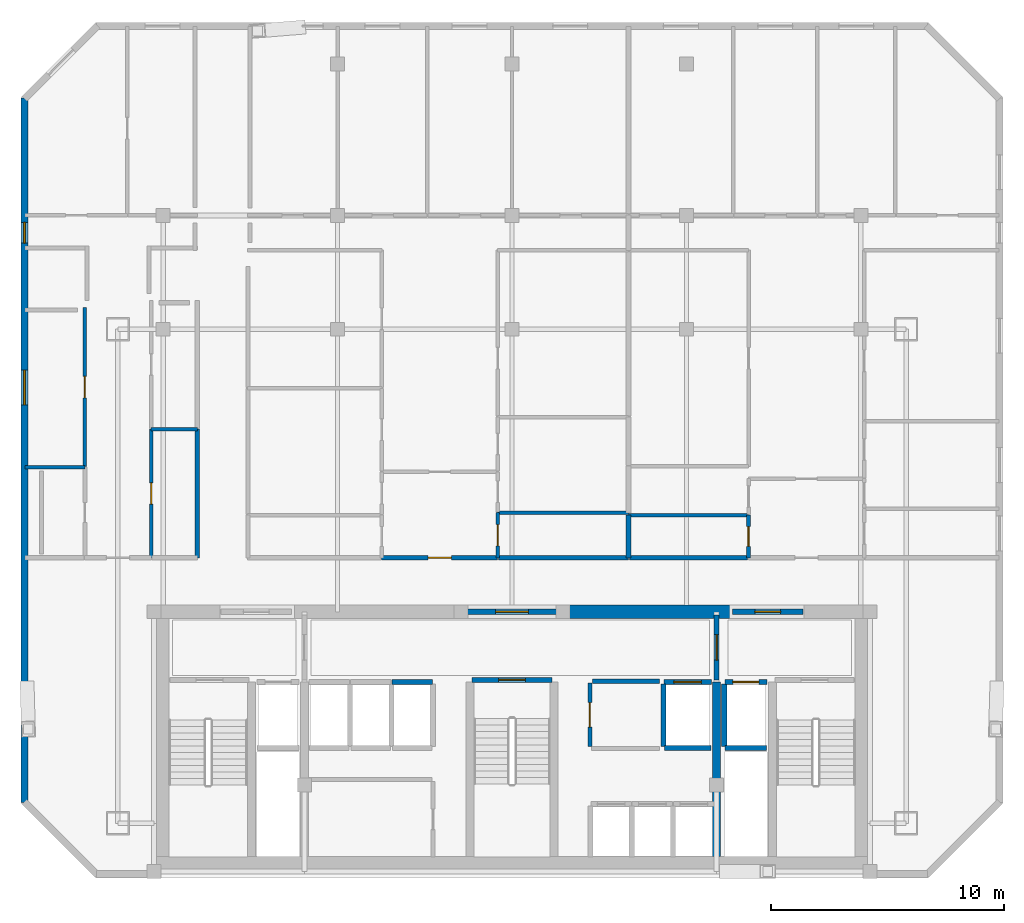
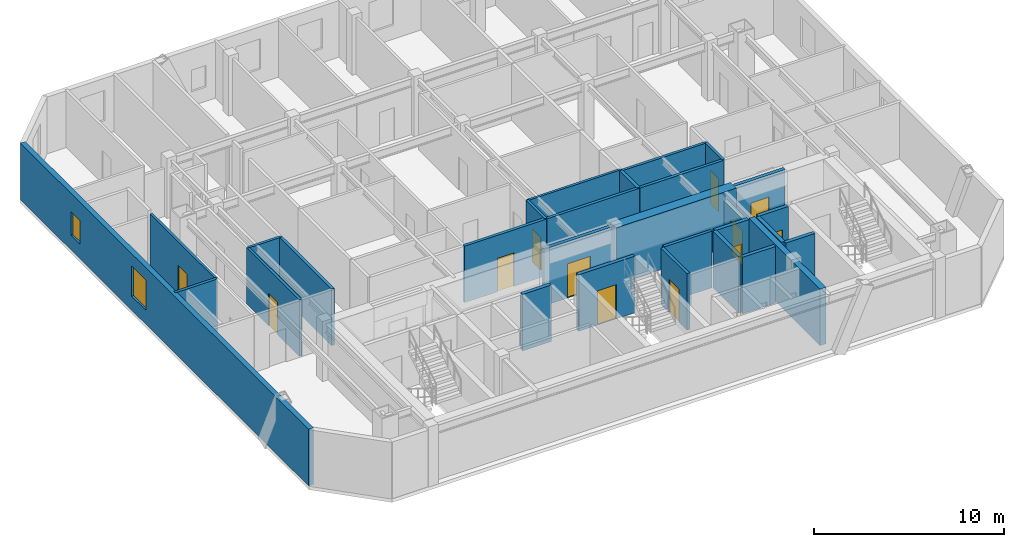
# One storey, part 3 of 7: 29 walls, 12 doors, 2 windows, 14 openings.
"""IFC4 building model written with IfcOpenShell, lengths in metres."""

from ifc_helpers import new_model, si_unit, direction, frame, frame_2d, origin, place, context, subcontext, project, spatial, rectangle, extrude, material, layer, layer_set, type_object, element, fill, save


model = new_model("IFC4")

# Units and contexts
model_context = context("Model", 3, precision=1e-05, world=origin(), true_north=direction((0.0, 1.0)))
body_context = subcontext(model_context, "Body", "Model", "MODEL_VIEW")
ifc_project = project(units=[si_unit("LENGTHUNIT", "METRE"), si_unit("AREAUNIT", "SQUARE_METRE"), si_unit("VOLUMEUNIT", "CUBIC_METRE"), si_unit("PLANEANGLEUNIT", "RADIAN"), si_unit("MASSUNIT", "GRAM", prefix="KILO")], contexts=[model_context])

# Site, building, storey
site_placement = place(None, origin())
site = spatial("IfcSite", under=ifc_project, at=site_placement, CompositionType="ELEMENT")
building_placement = place(site_placement, origin())
building = spatial("IfcBuilding", under=site, at=building_placement, Name="Ventersveld Concourse Tower", CompositionType="ELEMENT")
storey_placement = place(building_placement, frame((0.0, 0.0, 238.800048828125)))
storey = spatial("IfcBuildingStorey", under=building, at=storey_placement, Name="L59", CompositionType="ELEMENT", Elevation=238.800048828125)

# Walls
ifc_material_1 = material(Name="Concrete C50/60", Category="concrete")
ifc_layer_1 = layer(ifc_material_1, 0.35009765625)
ifc_layer_set_1 = layer_set([ifc_layer_1], Name="Concrete C50/60")
wall_type_1 = type_object("IfcWallType", Name="WL-CORE-350U", PredefinedType="SHEAR", material=ifc_layer_set_1)
wall_1_placement = place(storey_placement, frame((37.550048828125, 0.919921875, 0.0), z_axis=(0.0, 0.0, 1.0), x_axis=(0.0, 1.0, 0.0)))
element("IfcWall", 1, at=wall_1_placement, inside=storey, type_object=wall_type_1, Name="L59 Core Internal Shear Web W-SVL-W", PredefinedType="SHEAR", context=body_context, shape_type="SweptSolid", body=[
    extrude(rectangle(XDim=7.5, YDim=0.35009765625, at=frame_2d((3.75, 0.0))), origin(), (0.0, 0.0, 1.0), 3.6298828125),
])
ifc_layer_2 = layer(ifc_material_1, 0.60009765625)
ifc_layer_set_2 = layer_set([ifc_layer_2], Name="Concrete C50/60")
wall_type_2 = type_object("IfcWallType", Name="WL-CORE-600", PredefinedType="SHEAR", material=ifc_layer_set_2)
wall_2_placement = place(storey_placement, frame((30.89990234375, 11.449951171875, 0.0), z_axis=(0.0, 0.0, 1.0), x_axis=(1.0, 0.0, 0.0)))
element("IfcWall", 2, at=wall_2_placement, inside=storey, type_object=wall_type_2, Name="L59 Rear Core North Shear Wall NMR", PredefinedType="SHEAR", context=body_context, shape_type="SweptSolid", body=[
    extrude(rectangle(XDim=7.300048828125, YDim=0.60009765625, at=frame_2d((3.64990234375, 0.0))), origin(), (0.0, 0.0, 1.0), 3.6298828125),
])

# Wall, opening, door
ifc_material_2 = material(Name="Fire-rated autoclaved aerated masonry blockwork", Category="masonry")
ifc_layer_3 = layer(ifc_material_2, 0.179931640625)
ifc_layer_set_3 = layer_set([ifc_layer_3], Name="Fire-rated autoclaved aerated masonry blockwork")
wall_type_3 = type_object("IfcWallType", Name="WL-CORR-180", PredefinedType="PARTITIONING", material=ifc_layer_set_3)
wall_3_placement = place(storey_placement, frame((32.10009765625, 5.64990234375, 0.0), z_axis=(0.0, 0.0, 1.0), x_axis=(0.0, 1.0, 0.0)))
wall_3 = element("IfcWall", 3, at=wall_3_placement, inside=storey, type_object=wall_type_3, Name="L59 Core Passage Wall SP-L59-CBAY1", PredefinedType="PARTITIONING", context=body_context, shape_type="SweptSolid", body=[
    extrude(rectangle(XDim=2.72998046875, YDim=0.179931640625, at=frame_2d((1.364990234375, 0.0))), origin(), (0.0, 0.0, 1.0), 3.6298828125),
])
opening_1_placement = place(wall_3_placement, frame((0.840087890625, 0.0, 0.0)))
opening_1 = element("IfcOpeningElement", 4, at=opening_1_placement, cuts=wall_3, Name="Opening ID3", PredefinedType="OPENING", context=body_context, shape_type="SweptSolid", body=[
    extrude(rectangle(XDim=1.050048828125, YDim=2.14990234375, at=frame_2d((0.52490234375, 1.074951171875))), frame((0.0, 0.10009765625, 0.0), z_axis=(0.0, -1.0, 0.0), x_axis=(1.0, 0.0, 0.0)), (0.0, 0.0, 1.0), 0.199951171875),
])
ifc_material_3 = material(Name="Solid-core hardwood veneer timber", Category="wood")
door_type_1 = type_object("IfcDoorType", Name="DR-AWC-105", OperationType="NOTDEFINED", PredefinedType="DOOR", material=ifc_material_3)
door_1_placement = place(opening_1_placement, origin())
door_1 = element("IfcDoor", 5, at=door_1_placement, inside=storey, type_object=door_type_1, Name="L59 Core Room Door L59 Core Unisex Accessible WC (CD-L59-2829)", OperationType="SINGLE_SWING_RIGHT", OverallHeight=2.14990234375, OverallWidth=1.050048828125, PredefinedType="DOOR", context=body_context, shape_type="SweptSolid", body=[
    extrude(rectangle(XDim=1.050048828125, YDim=2.14990234375, at=frame_2d((0.52490234375, 1.074951171875))), frame((0.0, 0.02490234375, 0.0), z_axis=(0.0, -1.0, 0.0), x_axis=(1.0, 0.0, 0.0)), (0.0, 0.0, 1.0), 0.050048828125),
])
fill(opening_1, door_1)

# Walls
wall_4_placement = place(storey_placement, frame((32.219970703125, 8.4599609375, 0.0), z_axis=(0.0, 0.0, 1.0), x_axis=(1.0, 0.0, 0.0)))
element("IfcWall", 6, at=wall_4_placement, inside=storey, type_object=wall_type_3, Name="L59 Core Top Wall SP-L59-CBAY1", PredefinedType="PARTITIONING", context=body_context, shape_type="SweptSolid", body=[
    extrude(rectangle(XDim=2.880126953125, YDim=0.179931640625, at=frame_2d((1.43994140625, 0.0))), origin(), (0.0, 0.0, 1.0), 3.6298828125),
])
wall_5_placement = place(storey_placement, frame((15.2099609375, 13.764892578125, 0.0), z_axis=(0.0, 0.0, 1.0), x_axis=(0.0, 1.0, 0.0)))
element("IfcWall", 7, at=wall_5_placement, inside=storey, type_object=wall_type_3, Name="L59 Interior Partition SP-L59-COR-SP-L59-59NW-KIT", PredefinedType="PARTITIONING", context=body_context, shape_type="SweptSolid", body=[
    extrude(rectangle(XDim=5.5380859375, YDim=0.179931640625, at=frame_2d((2.76904296875, 0.0))), origin(), (0.0, 0.0, 1.0), 3.6298828125),
])

# Wall, opening, door
wall_6_placement = place(storey_placement, frame((23.146484375, 13.77001953125, 0.0), z_axis=(0.0, 0.0, 1.0), x_axis=(1.0, 0.0, 0.0)))
wall_6 = element("IfcWall", 8, at=wall_6_placement, inside=storey, type_object=wall_type_3, Name="L59 Interior Partition SP-L59-COR-SP-L59-59N1-FOY", PredefinedType="PARTITIONING", context=body_context, shape_type="SweptSolid", body=[
    extrude(rectangle(XDim=4.989990234375, YDim=0.179931640625, at=frame_2d((2.4951171875, 0.0))), origin(), (0.0, 0.0, 1.0), 3.6298828125),
])
opening_2_placement = place(wall_6_placement, frame((1.9951171875, 0.0, 0.0)))
opening_2 = element("IfcOpeningElement", 9, at=opening_2_placement, cuts=wall_6, Name="Opening FD3", PredefinedType="OPENING", context=body_context, shape_type="SweptSolid", body=[
    extrude(rectangle(XDim=1.0, YDim=2.14990234375, at=frame_2d((0.5, 1.074951171875))), frame((0.0, 0.10009765625, 0.0), z_axis=(0.0, -1.0, 0.0), x_axis=(1.0, 0.0, 0.0)), (0.0, 0.0, 1.0), 0.199951171875),
])
door_type_2 = type_object("IfcDoorType", Name="DR-FLAT-100", OperationType="NOTDEFINED", PredefinedType="DOOR", material=ifc_material_3)
door_2_placement = place(opening_2_placement, origin())
door_2 = element("IfcDoor", 10, at=door_2_placement, inside=storey, type_object=door_type_2, Name="L59 Interior Door SP-L59-COR to SP-L59-59N1-FOY (FD-L59-2831)", OperationType="SINGLE_SWING_LEFT", OverallHeight=2.14990234375, OverallWidth=1.0, PredefinedType="DOOR", context=body_context, shape_type="SweptSolid", body=[
    extrude(rectangle(XDim=1.0, YDim=2.14990234375, at=frame_2d((0.5, 1.074951171875))), frame((0.0, 0.02490234375, 0.0), z_axis=(0.0, -1.0, 0.0), x_axis=(1.0, 0.0, 0.0)), (0.0, 0.0, 1.0), 0.050048828125),
])
fill(opening_2, door_2)

# Walls
wall_7_placement = place(storey_placement, frame((28.16650390625, 13.77001953125, 0.0), z_axis=(0.0, 0.0, 1.0), x_axis=(1.0, 0.0, 0.0)))
element("IfcWall", 11, at=wall_7_placement, inside=storey, type_object=wall_type_3, Name="L59 Interior Partition SP-L59-COR-SP-L59-59N1-KIT", PredefinedType="PARTITIONING", context=body_context, shape_type="SweptSolid", body=[
    extrude(rectangle(XDim=5.596923828125, YDim=0.179931640625, at=frame_2d((2.79833984375, 0.0))), origin(), (0.0, 0.0, 1.0), 3.6298828125),
])
wall_8_placement = place(storey_placement, frame((33.79345703125, 13.77001953125, 0.0), z_axis=(0.0, 0.0, 1.0), x_axis=(1.0, 0.0, 0.0)))
element("IfcWall", 12, at=wall_8_placement, inside=storey, type_object=wall_type_3, Name="L59 Interior Partition SP-L59-COR-SP-L59-59N2-BATH", PredefinedType="PARTITIONING", context=body_context, shape_type="SweptSolid", body=[
    extrude(rectangle(XDim=5.0947265625, YDim=0.179931640625, at=frame_2d((2.54736328125, 0.0))), origin(), (0.0, 0.0, 1.0), 3.6298828125),
])
ifc_layer_4 = layer(ifc_material_2, 0.199951171875)
ifc_layer_set_4 = layer_set([ifc_layer_4], Name="Fire-rated autoclaved aerated masonry blockwork")
wall_type_4 = type_object("IfcWallType", Name="WL-DEMISE-200", PredefinedType="PARTITIONING", material=ifc_layer_set_4)
wall_9_placement = place(storey_placement, frame((33.75830078125, 13.764892578125, 0.0), z_axis=(0.0, 0.0, 1.0), x_axis=(0.0, 1.0, 0.0)))
element("IfcWall", 13, at=wall_9_placement, inside=storey, type_object=wall_type_4, Name="L59 Interior Partition SP-L59-59N1-KIT-SP-L59-59N2-BATH", PredefinedType="PARTITIONING", context=body_context, shape_type="SweptSolid", body=[
    extrude(rectangle(XDim=1.840087890625, YDim=0.199951171875, at=frame_2d((0.919921875, 0.0))), origin(), (0.0, 0.0, 1.0), 3.6298828125),
])
ifc_layer_5 = layer(ifc_material_2, 0.219970703125)
ifc_layer_set_5 = layer_set([ifc_layer_5], Name="Fire-rated autoclaved aerated masonry blockwork")
wall_type_5 = type_object("IfcWallType", Name="WL-HOIST-220", PredefinedType="SOLIDWALL", material=ifc_layer_set_5)
wall_10_placement = place(storey_placement, frame((37.919921875, 5.590087890625, 0.0), z_axis=(0.0, 0.0, 1.0), x_axis=(1.0, 0.0, 0.0)))
element("IfcWall", 14, at=wall_10_placement, inside=storey, type_object=wall_type_5, Name="L59 Lift Hoistway Back Wall FFL-02", PredefinedType="SOLIDWALL", context=body_context, shape_type="SweptSolid", body=[
    extrude(rectangle(XDim=1.780029296875, YDim=0.219970703125, at=frame_2d((0.89013671875, 0.0))), origin(), (0.0, 0.0, 1.0), 3.6298828125),
])
wall_11_placement = place(storey_placement, frame((37.8798828125, 5.64990234375, 0.0), z_axis=(0.0, 0.0, 1.0), x_axis=(0.0, 1.0, 0.0)))
element("IfcWall", 15, at=wall_11_placement, inside=storey, type_object=wall_type_5, Name="L59 Lift Hoistway Side Wall FFL-02W", PredefinedType="SOLIDWALL", context=body_context, shape_type="SweptSolid", body=[
    extrude(rectangle(XDim=2.7001953125, YDim=0.219970703125, at=frame_2d((1.35009765625, 0.0))), origin(), (0.0, 0.0, 1.0), 3.6298828125),
])

# Wall, opening, door
wall_12_placement = place(storey_placement, frame((37.89990234375, 8.429931640625, 0.0), z_axis=(0.0, 0.0, 1.0), x_axis=(1.0, 0.0, 0.0)))
wall_12 = element("IfcWall", 16, at=wall_12_placement, inside=storey, type_object=wall_type_5, Name="L59 Lift Hoistway Front Wall FFL-02", PredefinedType="SOLIDWALL", context=body_context, shape_type="SweptSolid", body=[
    extrude(rectangle(XDim=1.820068359375, YDim=0.219970703125, at=frame_2d((0.91015625, 0.0))), origin(), (0.0, 0.0, 1.0), 3.6298828125),
])
opening_3_placement = place(wall_12_placement, frame((0.35009765625, 0.0, 0.0)))
opening_3 = element("IfcOpeningElement", 17, at=opening_3_placement, cuts=wall_12, Name="Opening LD1", PredefinedType="OPENING", context=body_context, shape_type="SweptSolid", body=[
    extrude(rectangle(XDim=1.1201171875, YDim=2.25, at=frame_2d((0.56005859375, 1.125))), frame((0.0, 0.1201171875, 0.0), z_axis=(0.0, -1.0, 0.0), x_axis=(1.0, 0.0, 0.0)), (0.0, 0.0, 1.0), 0.239990234375),
])
ifc_material_4 = material(Name="Brushed stainless steel 316", Category="steel")
door_type_3 = type_object("IfcDoorType", Name="LD-FF-112", OperationType="SLIDING_TO_LEFT", PredefinedType="DOOR", material=ifc_material_4)
door_3_placement = place(opening_3_placement, origin())
door_3 = element("IfcDoor", 18, at=door_3_placement, inside=storey, type_object=door_type_3, Name="L59 Lift landing door FFL-02 (LD-L59-FFL-02)", OperationType="SLIDING_TO_RIGHT", OverallHeight=2.25, OverallWidth=1.1201171875, PredefinedType="DOOR", context=body_context, shape_type="SweptSolid", body=[
    extrude(rectangle(XDim=1.1201171875, YDim=2.25, at=frame_2d((0.56005859375, 1.125))), frame((0.0, 0.02490234375, 0.0), z_axis=(0.0, -1.0, 0.0), x_axis=(1.0, 0.0, 0.0)), (0.0, 0.0, 1.0), 0.050048828125),
])
fill(opening_3, door_3)

# Walls
wall_13_placement = place(storey_placement, frame((35.300048828125, 5.590087890625, 0.0), z_axis=(0.0, 0.0, 1.0), x_axis=(1.0, 0.0, 0.0)))
element("IfcWall", 19, at=wall_13_placement, inside=storey, type_object=wall_type_5, Name="L59 Lift Hoistway Back Wall SVL-01", PredefinedType="SOLIDWALL", context=body_context, shape_type="SweptSolid", body=[
    extrude(rectangle(XDim=2.0, YDim=0.219970703125, at=frame_2d((1.0, 0.0))), origin(), (0.0, 0.0, 1.0), 3.6298828125),
])
wall_14_placement = place(storey_placement, frame((35.260009765625, 5.64990234375, 0.0), z_axis=(0.0, 0.0, 1.0), x_axis=(0.0, 1.0, 0.0)))
element("IfcWall", 20, at=wall_14_placement, inside=storey, type_object=wall_type_5, Name="L59 Lift Hoistway Side Wall SVL-01W", PredefinedType="SOLIDWALL", context=body_context, shape_type="SweptSolid", body=[
    extrude(rectangle(XDim=2.7001953125, YDim=0.219970703125, at=frame_2d((1.35009765625, 0.0))), origin(), (0.0, 0.0, 1.0), 3.6298828125),
])

# Wall, opening, door
wall_15_placement = place(storey_placement, frame((35.280029296875, 8.429931640625, 0.0), z_axis=(0.0, 0.0, 1.0), x_axis=(1.0, 0.0, 0.0)))
wall_15 = element("IfcWall", 21, at=wall_15_placement, inside=storey, type_object=wall_type_5, Name="L59 Lift Hoistway Front Wall SVL-01", PredefinedType="SOLIDWALL", context=body_context, shape_type="SweptSolid", body=[
    extrude(rectangle(XDim=2.0400390625, YDim=0.219970703125, at=frame_2d((1.02001953125, 0.0))), origin(), (0.0, 0.0, 1.0), 3.6298828125),
])
opening_4_placement = place(wall_15_placement, frame((0.429931640625, 0.0, 0.0)))
opening_4 = element("IfcOpeningElement", 22, at=opening_4_placement, cuts=wall_15, Name="Opening LD2", PredefinedType="OPENING", context=body_context, shape_type="SweptSolid", body=[
    extrude(rectangle(XDim=1.179931640625, YDim=2.199951171875, at=frame_2d((0.58984375, 1.10009765625))), frame((0.0, 0.1201171875, 0.0), z_axis=(0.0, -1.0, 0.0), x_axis=(1.0, 0.0, 0.0)), (0.0, 0.0, 1.0), 0.239990234375),
])
door_type_4 = type_object("IfcDoorType", Name="LD-PAX-118", OperationType="SLIDING_TO_LEFT", PredefinedType="DOOR", material=ifc_material_4)
door_4_placement = place(opening_4_placement, origin())
door_4 = element("IfcDoor", 23, at=door_4_placement, inside=storey, type_object=door_type_4, Name="L59 Lift landing door SVL-01 (LD-L59-SVL-01)", OperationType="SLIDING_TO_LEFT", OverallHeight=2.199951171875, OverallWidth=1.179931640625, PredefinedType="DOOR", context=body_context, shape_type="SweptSolid", body=[
    extrude(rectangle(XDim=1.179931640625, YDim=2.199951171875, at=frame_2d((0.58984375, 1.10009765625))), frame((0.0, 0.02490234375, 0.0), z_axis=(0.0, -1.0, 0.0), x_axis=(1.0, 0.0, 0.0)), (0.0, 0.0, 1.0), 0.050048828125),
])
fill(opening_4, door_4)

# Wall
wall_16_placement = place(storey_placement, frame((23.580078125, 8.429931640625, 0.0), z_axis=(0.0, 0.0, 1.0), x_axis=(1.0, 0.0, 0.0)))
element("IfcWall", 24, at=wall_16_placement, inside=storey, type_object=wall_type_5, Name="L59 Lift Hoistway Front Wall PH-03", PredefinedType="SOLIDWALL", context=body_context, shape_type="SweptSolid", body=[
    extrude(rectangle(XDim=1.739990234375, YDim=0.219970703125, at=frame_2d((0.8701171875, 0.0))), origin(), (0.0, 0.0, 1.0), 3.6298828125),
])

# Wall, opening, door
wall_17_placement = place(storey_placement, frame((27.0400390625, 8.52001953125, 0.0), z_axis=(0.0, 0.0, 1.0), x_axis=(1.0, 0.0, 0.0)))
wall_17 = element("IfcWall", 25, at=wall_17_placement, inside=storey, type_object=wall_type_5, Name="L59 Escape Stair ST03 Fire Wall", PredefinedType="SOLIDWALL", context=body_context, shape_type="SweptSolid", body=[
    extrude(rectangle(XDim=3.419921875, YDim=0.219970703125, at=frame_2d((1.7099609375, 0.0))), origin(), (0.0, 0.0, 1.0), 3.6298828125),
])
opening_5_placement = place(wall_17_placement, frame((1.135009765625, 0.0, 0.0)))
opening_5 = element("IfcOpeningElement", 26, at=opening_5_placement, cuts=wall_17, Name="Opening FD1", PredefinedType="OPENING", context=body_context, shape_type="SweptSolid", body=[
    extrude(rectangle(XDim=1.14990234375, YDim=2.199951171875, at=frame_2d((0.574951171875, 1.10009765625))), frame((0.0, 0.1201171875, 0.0), z_axis=(0.0, -1.0, 0.0), x_axis=(1.0, 0.0, 0.0)), (0.0, 0.0, 1.0), 0.239990234375),
])
ifc_material_5 = material(Name="Galvanised painted steel", Category="steel")
door_type_5 = type_object("IfcDoorType", Name="DR-STAIR-115", OperationType="NOTDEFINED", PredefinedType="DOOR", material=ifc_material_5)
door_5_placement = place(opening_5_placement, origin())
door_5 = element("IfcDoor", 27, at=door_5_placement, inside=storey, type_object=door_type_5, Name="L59 Escape Stair Door ST03 (SD-L59-2822)", OperationType="SINGLE_SWING_LEFT", OverallHeight=2.199951171875, OverallWidth=1.14990234375, PredefinedType="DOOR", context=body_context, shape_type="SweptSolid", body=[
    extrude(rectangle(XDim=1.14990234375, YDim=2.199951171875, at=frame_2d((0.574951171875, 1.10009765625))), frame((0.0, 0.02490234375, 0.0), z_axis=(0.0, -1.0, 0.0), x_axis=(1.0, 0.0, 0.0)), (0.0, 0.0, 1.0), 0.050048828125),
])
fill(opening_5, door_5)

wall_18_placement = place(storey_placement, frame((37.550048828125, 8.52001953125, 0.0), z_axis=(0.0, 0.0, 1.0), x_axis=(0.0, 1.0, 0.0)))
wall_18 = element("IfcWall", 28, at=wall_18_placement, inside=storey, type_object=wall_type_5, Name="L59 Firefighting Lobby Smoke-Stop Wall FFLE-SEP", PredefinedType="SOLIDWALL", context=body_context, shape_type="SweptSolid", body=[
    extrude(rectangle(XDim=2.800048828125, YDim=0.219970703125, at=frame_2d((1.39990234375, 0.0))), origin(), (0.0, 0.0, 1.0), 3.08544921875),
])
opening_6_placement = place(wall_18_placement, frame((0.85009765625, 0.0, 0.0)))
opening_6 = element("IfcOpeningElement", 29, at=opening_6_placement, cuts=wall_18, Name="Opening FD2", PredefinedType="OPENING", context=body_context, shape_type="SweptSolid", body=[
    extrude(rectangle(XDim=1.10009765625, YDim=2.199951171875, at=frame_2d((0.550048828125, 1.10009765625))), frame((0.0, 0.1201171875, 0.0), z_axis=(0.0, -1.0, 0.0), x_axis=(1.0, 0.0, 0.0)), (0.0, 0.0, 1.0), 0.239990234375),
])
door_type_6 = type_object("IfcDoorType", Name="DR-FFL-110", OperationType="NOTDEFINED", PredefinedType="DOOR", material=ifc_material_5)
door_6_placement = place(opening_6_placement, origin())
door_6 = element("IfcDoor", 30, at=door_6_placement, inside=storey, type_object=door_type_6, Name="L59 Firefighting Lobby Door FFLE-SEP (FD-L59-2824)", OperationType="SINGLE_SWING_RIGHT", OverallHeight=2.199951171875, OverallWidth=1.10009765625, PredefinedType="DOOR", context=body_context, shape_type="SweptSolid", body=[
    extrude(rectangle(XDim=1.10009765625, YDim=2.199951171875, at=frame_2d((0.550048828125, 1.10009765625))), frame((0.0, 0.02490234375, 0.0), z_axis=(0.0, -1.0, 0.0), x_axis=(1.0, 0.0, 0.0)), (0.0, 0.0, 1.0), 0.050048828125),
])
fill(opening_6, door_6)

wall_19_placement = place(storey_placement, frame((26.6298828125, 11.449951171875, 0.0), z_axis=(0.0, 0.0, 1.0), x_axis=(1.0, 0.0, 0.0)))
wall_19 = element("IfcWall", 31, at=wall_19_placement, inside=storey, type_object=wall_type_5, Name="L59 Core North Fire Portal PLOB-OUT", PredefinedType="SOLIDWALL", context=body_context, shape_type="SweptSolid", body=[
    extrude(rectangle(XDim=4.240234375, YDim=0.219970703125, at=frame_2d((2.1201171875, 0.0))), origin(), (0.0, 0.0, 1.0), 3.6298828125),
])
opening_7_placement = place(wall_19_placement, frame((1.419921875, 0.0, 0.0)))
opening_7 = element("IfcOpeningElement", 32, at=opening_7_placement, cuts=wall_19, Name="Opening FD4", PredefinedType="OPENING", context=body_context, shape_type="SweptSolid", body=[
    extrude(rectangle(XDim=1.39990234375, YDim=2.199951171875, at=frame_2d((0.699951171875, 1.10009765625))), frame((0.0, 0.1201171875, 0.0), z_axis=(0.0, -1.0, 0.0), x_axis=(1.0, 0.0, 0.0)), (0.0, 0.0, 1.0), 0.239990234375),
])
door_type_7 = type_object("IfcDoorType", Name="DR-PLANT-140", OperationType="DOUBLE_DOOR_SINGLE_SWING", PredefinedType="DOOR", material=ifc_material_5)
door_7_placement = place(opening_7_placement, origin())
door_7 = element("IfcDoor", 33, at=door_7_placement, inside=storey, type_object=door_type_7, Name="L59 Core Lobby Fire Door PLOB-OUT (FD-L59-2826)", OperationType="DOUBLE_DOOR_SINGLE_SWING", OverallHeight=2.199951171875, OverallWidth=1.39990234375, PredefinedType="DOOR", context=body_context, shape_type="SweptSolid", body=[
    extrude(rectangle(XDim=1.39990234375, YDim=2.199951171875, at=frame_2d((0.699951171875, 1.10009765625))), frame((0.0, 0.02490234375, 0.0), z_axis=(0.0, -1.0, 0.0), x_axis=(1.0, 0.0, 0.0)), (0.0, 0.0, 1.0), 0.050048828125),
])
fill(opening_7, door_7)

wall_20_placement = place(storey_placement, frame((38.22998046875, 11.449951171875, 0.0), z_axis=(0.0, 0.0, 1.0), x_axis=(1.0, 0.0, 0.0)))
wall_20 = element("IfcWall", 34, at=wall_20_placement, inside=storey, type_object=wall_type_5, Name="L59 Core North Fire Portal FFLE-OUT", PredefinedType="SOLIDWALL", context=body_context, shape_type="SweptSolid", body=[
    extrude(rectangle(XDim=3.0400390625, YDim=0.219970703125, at=frame_2d((1.52001953125, 0.0))), origin(), (0.0, 0.0, 1.0), 3.6298828125),
])
opening_8_placement = place(wall_20_placement, frame((0.969970703125, 0.0, 0.0)))
opening_8 = element("IfcOpeningElement", 35, at=opening_8_placement, cuts=wall_20, Name="Opening FD2", PredefinedType="OPENING", context=body_context, shape_type="SweptSolid", body=[
    extrude(rectangle(XDim=1.10009765625, YDim=2.199951171875, at=frame_2d((0.550048828125, 1.10009765625))), frame((0.0, 0.1201171875, 0.0), z_axis=(0.0, -1.0, 0.0), x_axis=(1.0, 0.0, 0.0)), (0.0, 0.0, 1.0), 0.239990234375),
])
door_8_placement = place(opening_8_placement, origin())
door_8 = element("IfcDoor", 36, at=door_8_placement, inside=storey, type_object=door_type_6, Name="L59 Core Lobby Fire Door FFLE-OUT (FD-L59-2827)", OperationType="SINGLE_SWING_LEFT", OverallHeight=2.199951171875, OverallWidth=1.10009765625, PredefinedType="DOOR", context=body_context, shape_type="SweptSolid", body=[
    extrude(rectangle(XDim=1.10009765625, YDim=2.199951171875, at=frame_2d((0.550048828125, 1.10009765625))), frame((0.0, 0.02490234375, 0.0), z_axis=(0.0, -1.0, 0.0), x_axis=(1.0, 0.0, 0.0)), (0.0, 0.0, 1.0), 0.050048828125),
])
fill(opening_8, door_8)

ifc_material_6 = material(Name="Autoclaved aerated masonry blockwork", Category="masonry")
ifc_layer_6 = layer(ifc_material_6, 0.14990234375)
ifc_layer_set_6 = layer_set([ifc_layer_6], Name="Autoclaved aerated masonry blockwork")
wall_type_6 = type_object("IfcWallType", Name="WL-INT-150", PredefinedType="PARTITIONING", material=ifc_layer_set_6)
wall_21_placement = place(storey_placement, frame((10.3798828125, 17.7001953125, 0.0), z_axis=(0.0, 0.0, 1.0), x_axis=(0.0, 1.0, 0.0)))
wall_21 = element("IfcWall", 37, at=wall_21_placement, inside=storey, type_object=wall_type_6, Name="L59 Interior Partition SP-L59-59NW-LIV-SP-L59-59NW-OFFL0", PredefinedType="PARTITIONING", context=body_context, shape_type="SweptSolid", body=[
    extrude(rectangle(XDim=6.8251953125, YDim=0.14990234375, at=frame_2d((3.41259765625, 0.0))), origin(), (0.0, 0.0, 1.0), 3.6298828125),
])
opening_9_placement = place(wall_21_placement, frame((2.95263671875, 0.0, 0.0)))
opening_9 = element("IfcOpeningElement", 38, at=opening_9_placement, cuts=wall_21, Name="Opening ID1", PredefinedType="OPENING", context=body_context, shape_type="SweptSolid", body=[
    extrude(rectangle(XDim=0.919921875, YDim=2.10009765625, at=frame_2d((0.4599609375, 1.050048828125))), frame((0.0, 0.0849609375, 0.0), z_axis=(0.0, -1.0, 0.0), x_axis=(1.0, 0.0, 0.0)), (0.0, 0.0, 1.0), 0.169921875),
])
door_type_8 = type_object("IfcDoorType", Name="DR-ROOM-092", OperationType="NOTDEFINED", PredefinedType="DOOR", material=ifc_material_3)
door_9_placement = place(opening_9_placement, origin())
door_9 = element("IfcDoor", 39, at=door_9_placement, inside=storey, type_object=door_type_8, Name="L59 Interior Door SP-L59-59NW-LIV to SP-L59-59NW-OFFL0 (D-L59-2834)", OperationType="SINGLE_SWING_RIGHT", OverallHeight=2.10009765625, OverallWidth=0.919921875, PredefinedType="DOOR", context=body_context, shape_type="SweptSolid", body=[
    extrude(rectangle(XDim=0.919921875, YDim=2.10009765625, at=frame_2d((0.4599609375, 1.050048828125))), frame((0.0, 0.02490234375, 0.0), z_axis=(0.0, -1.0, 0.0), x_axis=(1.0, 0.0, 0.0)), (0.0, 0.0, 1.0), 0.050048828125),
])
fill(opening_9, door_9)

wall_22_placement = place(storey_placement, frame((13.23486328125, 13.764892578125, 0.0), z_axis=(0.0, 0.0, 1.0), x_axis=(0.0, 1.0, 0.0)))
wall_22 = element("IfcWall", 40, at=wall_22_placement, inside=storey, type_object=wall_type_6, Name="L59 Interior Partition SP-L59-59NW-LIV-SP-L59-59NW-KIT", PredefinedType="PARTITIONING", context=body_context, shape_type="SweptSolid", body=[
    extrude(rectangle(XDim=5.5380859375, YDim=0.14990234375, at=frame_2d((2.76904296875, 0.0))), origin(), (0.0, 0.0, 1.0), 3.6298828125),
])
opening_10_placement = place(wall_22_placement, frame((2.30908203125, 0.0, 0.0)))
opening_10 = element("IfcOpeningElement", 41, at=opening_10_placement, cuts=wall_22, Name="Opening ID1", PredefinedType="OPENING", context=body_context, shape_type="SweptSolid", body=[
    extrude(rectangle(XDim=0.919921875, YDim=2.10009765625, at=frame_2d((0.4599609375, 1.050048828125))), frame((0.0, 0.0849609375, 0.0), z_axis=(0.0, -1.0, 0.0), x_axis=(1.0, 0.0, 0.0)), (0.0, 0.0, 1.0), 0.169921875),
])
door_10_placement = place(opening_10_placement, origin())
door_10 = element("IfcDoor", 42, at=door_10_placement, inside=storey, type_object=door_type_8, Name="L59 Interior Door SP-L59-59NW-LIV to SP-L59-59NW-KIT (D-L59-2835)", OperationType="SINGLE_SWING_LEFT", OverallHeight=2.10009765625, OverallWidth=0.919921875, PredefinedType="DOOR", context=body_context, shape_type="SweptSolid", body=[
    extrude(rectangle(XDim=0.919921875, YDim=2.10009765625, at=frame_2d((0.4599609375, 1.050048828125))), frame((0.0, 0.02490234375, 0.0), z_axis=(0.0, -1.0, 0.0), x_axis=(1.0, 0.0, 0.0)), (0.0, 0.0, 1.0), 0.050048828125),
])
fill(opening_10, door_10)

# Wall
wall_23_placement = place(storey_placement, frame((13.22998046875, 19.2978515625, 0.0), z_axis=(0.0, 0.0, 1.0), x_axis=(1.0, 0.0, 0.0)))
element("IfcWall", 43, at=wall_23_placement, inside=storey, type_object=wall_type_6, Name="L59 Interior Partition SP-L59-59NW-KIT-SP-L59-59NW-PANR1", PredefinedType="PARTITIONING", context=body_context, shape_type="SweptSolid", body=[
    extrude(rectangle(XDim=1.985107421875, YDim=0.14990234375, at=frame_2d((0.99267578125, 0.0))), origin(), (0.0, 0.0, 1.0), 3.6298828125),
])

# Wall, opening, door
wall_24_placement = place(storey_placement, frame((28.131591796875, 13.764892578125, 0.0), z_axis=(0.0, 0.0, 1.0), x_axis=(0.0, 1.0, 0.0)))
wall_24 = element("IfcWall", 44, at=wall_24_placement, inside=storey, type_object=wall_type_6, Name="L59 Interior Partition SP-L59-59N1-FOY-SP-L59-59N1-KIT", PredefinedType="PARTITIONING", context=body_context, shape_type="SweptSolid", body=[
    extrude(rectangle(XDim=1.95263671875, YDim=0.14990234375, at=frame_2d((0.976318359375, 0.0))), origin(), (0.0, 0.0, 1.0), 3.6298828125),
])
opening_11_placement = place(wall_24_placement, frame((0.51611328125, 0.0, 0.0)))
opening_11 = element("IfcOpeningElement", 45, at=opening_11_placement, cuts=wall_24, Name="Opening ID1", PredefinedType="OPENING", context=body_context, shape_type="SweptSolid", body=[
    extrude(rectangle(XDim=0.919921875, YDim=2.10009765625, at=frame_2d((0.4599609375, 1.050048828125))), frame((0.0, 0.0849609375, 0.0), z_axis=(0.0, -1.0, 0.0), x_axis=(1.0, 0.0, 0.0)), (0.0, 0.0, 1.0), 0.169921875),
])
door_11_placement = place(opening_11_placement, origin())
door_11 = element("IfcDoor", 46, at=door_11_placement, inside=storey, type_object=door_type_8, Name="L59 Interior Door SP-L59-59N1-FOY to SP-L59-59N1-KIT (D-L59-2842)", OperationType="SINGLE_SWING_RIGHT", OverallHeight=2.10009765625, OverallWidth=0.919921875, PredefinedType="DOOR", context=body_context, shape_type="SweptSolid", body=[
    extrude(rectangle(XDim=0.919921875, YDim=2.10009765625, at=frame_2d((0.4599609375, 1.050048828125))), frame((0.0, 0.02490234375, 0.0), z_axis=(0.0, -1.0, 0.0), x_axis=(1.0, 0.0, 0.0)), (0.0, 0.0, 1.0), 0.050048828125),
])
fill(opening_11, door_11)

# Wall
wall_25_placement = place(storey_placement, frame((28.12646484375, 15.71240234375, 0.0), z_axis=(0.0, 0.0, 1.0), x_axis=(1.0, 0.0, 0.0)))
element("IfcWall", 47, at=wall_25_placement, inside=storey, type_object=wall_type_6, Name="L59 Interior Partition SP-L59-59N1-KIT-SP-L59-59N1-MEDR1", PredefinedType="PARTITIONING", context=body_context, shape_type="SweptSolid", body=[
    extrude(rectangle(XDim=5.636962890625, YDim=0.14990234375, at=frame_2d((2.818359375, 0.0))), origin(), (0.0, 0.0, 1.0), 3.6298828125),
])

# Wall, openings, windows
ifc_material_7 = material(Name="Precast concrete C45/55", Category="concrete")
ifc_layer_7 = layer(ifc_material_7, 0.300048828125)
ifc_layer_set_7 = layer_set([ifc_layer_7], Name="Precast concrete C45/55")
wall_type_7 = type_object("IfcWallType", Name="WL-PREC-300", PredefinedType="SOLIDWALL", material=ifc_layer_set_7)
wall_26_placement = place(storey_placement, frame((7.792236328125, 33.548828125, 0.0), z_axis=(0.0, 0.0, 1.0), x_axis=(0.0, -1.0, 0.0)))
wall_26 = element("IfcWall", 48, at=wall_26_placement, inside=storey, type_object=wall_type_7, Name="L59 Highveld Precast Facade Wall E07", PredefinedType="SOLIDWALL", context=body_context, shape_type="SweptSolid", body=[
    extrude(rectangle(XDim=30.308837890625, YDim=0.300048828125, at=frame_2d((15.154296875, 0.0))), origin(), (0.0, 0.0, 1.0), 3.6298828125),
])
opening_12_placement = place(wall_26_placement, frame((5.348876953125, 0.0, 0.949951171875)))
opening_12 = element("IfcOpeningElement", 49, at=opening_12_placement, cuts=wall_26, Name="Opening W4", PredefinedType="OPENING", context=body_context, shape_type="SweptSolid", body=[
    extrude(rectangle(XDim=0.89990234375, YDim=1.5, at=frame_2d((0.449951171875, 0.75))), frame((0.0, 0.16015625, 0.0), z_axis=(0.0, -1.0, 0.0), x_axis=(1.0, 0.0, 0.0)), (0.0, 0.0, 1.0), 0.320068359375),
])
opening_13_placement = place(wall_26_placement, frame((11.7060546875, 0.0, 0.89990234375)))
opening_13 = element("IfcOpeningElement", 50, at=opening_13_placement, cuts=wall_26, Name="Opening W1", PredefinedType="OPENING", context=body_context, shape_type="SweptSolid", body=[
    extrude(rectangle(XDim=1.5, YDim=1.949951171875, at=frame_2d((0.75, 0.97509765625))), frame((0.0, 0.16015625, 0.0), z_axis=(0.0, -1.0, 0.0), x_axis=(1.0, 0.0, 0.0)), (0.0, 0.0, 1.0), 0.320068359375),
])
ifc_material_8 = material(Name="Tempered acoustic Low-E IGU", Category="glass")
window_type_1 = type_object("IfcWindowType", Name="WIN-090x150", PartitioningType="SINGLE_PANEL", PredefinedType="WINDOW", material=ifc_material_8)
window_1_placement = place(opening_12_placement, origin())
window_1 = element("IfcWindow", 51, at=window_1_placement, inside=storey, type_object=window_type_1, Name="L59 Punched Low-E Window W-0843", OverallHeight=1.5, OverallWidth=0.89990234375, PartitioningType="SINGLE_PANEL", PredefinedType="WINDOW", context=body_context, shape_type="SweptSolid", body=[
    extrude(rectangle(XDim=0.89990234375, YDim=1.5, at=frame_2d((0.449951171875, 0.75))), frame((0.0, 0.030029296875, 0.0), z_axis=(0.0, -1.0, 0.0), x_axis=(1.0, 0.0, 0.0)), (0.0, 0.0, 1.0), 0.06005859375),
])
fill(opening_12, window_1)
window_type_2 = type_object("IfcWindowType", Name="WIN-150x210", PartitioningType="SINGLE_PANEL", PredefinedType="WINDOW", material=ifc_material_8)
window_2_placement = place(opening_13_placement, origin())
window_2 = element("IfcWindow", 52, at=window_2_placement, inside=storey, type_object=window_type_2, Name="L59 Punched Low-E Window W-0844", OverallHeight=1.949951171875, OverallWidth=1.5, PartitioningType="SINGLE_PANEL", PredefinedType="WINDOW", context=body_context, shape_type="SweptSolid", body=[
    extrude(rectangle(XDim=1.5, YDim=1.949951171875, at=frame_2d((0.75, 0.97509765625))), frame((0.0, 0.030029296875, 0.0), z_axis=(0.0, -1.0, 0.0), x_axis=(1.0, 0.0, 0.0)), (0.0, 0.0, 1.0), 0.06005859375),
])
fill(opening_13, window_2)

# Wall
ifc_layer_8 = layer(ifc_material_6, 0.1650390625)
ifc_layer_set_8 = layer_set([ifc_layer_8], Name="Autoclaved aerated masonry blockwork")
wall_type_8 = type_object("IfcWallType", Name="WL-WET-165", PredefinedType="PLUMBINGWALL", material=ifc_layer_set_8)
wall_27_placement = place(storey_placement, frame((7.814697265625, 17.6650390625, 0.0), z_axis=(0.0, 0.0, 1.0), x_axis=(1.0, 0.0, 0.0)))
element("IfcWall", 53, at=wall_27_placement, inside=storey, type_object=wall_type_8, Name="L59 Interior Partition SP-L59-59NW-BATH-SP-L59-59NW-OFFL0", PredefinedType="PLUMBINGWALL", context=body_context, shape_type="SweptSolid", body=[
    extrude(rectangle(XDim=2.5703125, YDim=0.1650390625, at=frame_2d((1.28515625, 0.0))), origin(), (0.0, 0.0, 1.0), 3.6298828125),
])

# Wall, opening, door
wall_28_placement = place(storey_placement, frame((38.923095703125, 13.764892578125, 0.0), z_axis=(0.0, 0.0, 1.0), x_axis=(0.0, 1.0, 0.0)))
wall_28 = element("IfcWall", 54, at=wall_28_placement, inside=storey, type_object=wall_type_8, Name="L59 Interior Partition SP-L59-59N2-FOY-SP-L59-59N2-BATH", PredefinedType="PLUMBINGWALL", context=body_context, shape_type="SweptSolid", body=[
    extrude(rectangle(XDim=1.840087890625, YDim=0.1650390625, at=frame_2d((0.919921875, 0.0))), origin(), (0.0, 0.0, 1.0), 3.6298828125),
])
opening_14_placement = place(wall_28_placement, frame((0.4951171875, 0.0, 0.0)))
opening_14 = element("IfcOpeningElement", 55, at=opening_14_placement, cuts=wall_28, Name="Opening ID2", PredefinedType="OPENING", context=body_context, shape_type="SweptSolid", body=[
    extrude(rectangle(XDim=0.85009765625, YDim=2.10009765625, at=frame_2d((0.425048828125, 1.050048828125))), frame((0.0, 0.092529296875, 0.0), z_axis=(0.0, -1.0, 0.0), x_axis=(1.0, 0.0, 0.0)), (0.0, 0.0, 1.0), 0.18505859375),
])
door_type_9 = type_object("IfcDoorType", Name="DR-BATH-085", OperationType="NOTDEFINED", PredefinedType="DOOR", material=ifc_material_3)
door_12_placement = place(opening_14_placement, origin())
door_12 = element("IfcDoor", 56, at=door_12_placement, inside=storey, type_object=door_type_9, Name="L59 Interior Door SP-L59-59N2-FOY to SP-L59-59N2-BATH (D-L59-2853)", OperationType="SINGLE_SWING_LEFT", OverallHeight=2.10009765625, OverallWidth=0.85009765625, PredefinedType="DOOR", context=body_context, shape_type="SweptSolid", body=[
    extrude(rectangle(XDim=0.85009765625, YDim=2.10009765625, at=frame_2d((0.425048828125, 1.050048828125))), frame((0.0, 0.02490234375, 0.0), z_axis=(0.0, -1.0, 0.0), x_axis=(1.0, 0.0, 0.0)), (0.0, 0.0, 1.0), 0.050048828125),
])
fill(opening_14, door_12)

# Wall
wall_29_placement = place(storey_placement, frame((33.75341796875, 15.60009765625, 0.0), z_axis=(0.0, 0.0, 1.0), x_axis=(1.0, 0.0, 0.0)))
element("IfcWall", 57, at=wall_29_placement, inside=storey, type_object=wall_type_8, Name="L59 Interior Partition SP-L59-59N2-BATH-SP-L59-59N2-PANL0", PredefinedType="PLUMBINGWALL", context=body_context, shape_type="SweptSolid", body=[
    extrude(rectangle(XDim=5.174560546875, YDim=0.1650390625, at=frame_2d((2.58740234375, 0.0))), origin(), (0.0, 0.0, 1.0), 3.6298828125),
])

save(model, "model.ifc")
